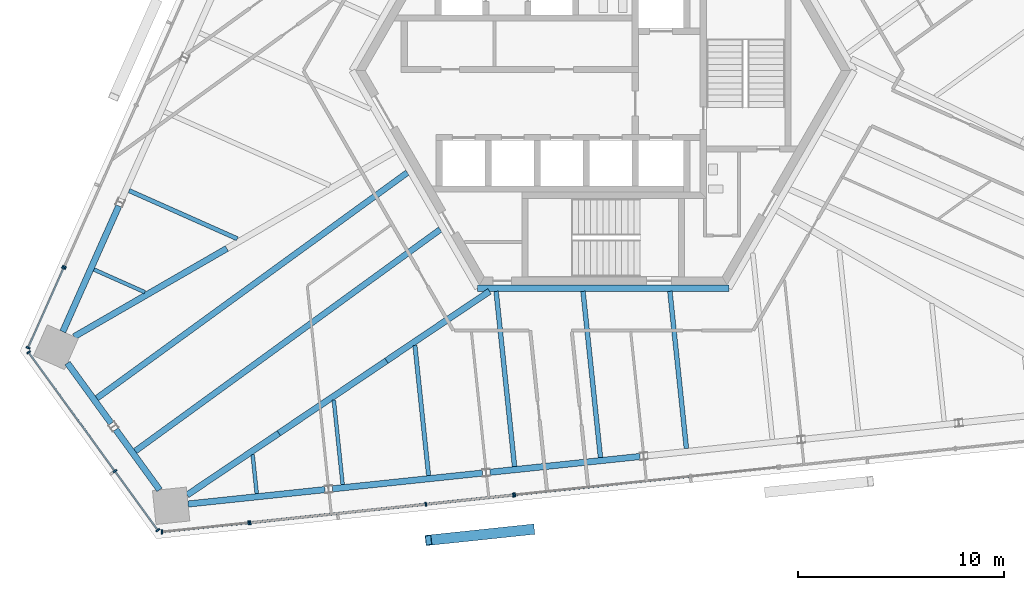
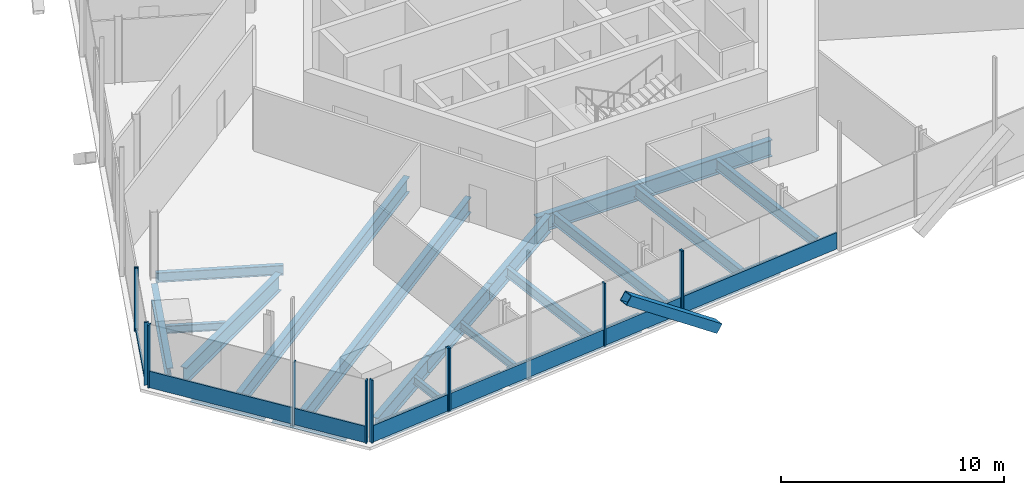
# One storey, part 4 of 21: 21 beams, 20 members, 6 elements without a shape of their own.
"""IFC4 building model written with IfcOpenShell, lengths in metres."""

from ifc_helpers import new_model, si_unit, direction, frame, origin, origin_2d, place, context, subcontext, project, spatial, rectangle, hollow_rectangle, i_section, extrude, source, transform, mapped, material, material_profile, profile_set, type_object, element, aggregate, save


model = new_model("IFC4")

# Units and contexts
model_context = context("Model", 3, precision=1e-05, world=origin(), true_north=direction((0.0, 1.0)))
body_context = subcontext(model_context, "Body", "Model", "MODEL_VIEW")
ifc_project = project(units=[si_unit("LENGTHUNIT", "METRE"), si_unit("AREAUNIT", "SQUARE_METRE"), si_unit("VOLUMEUNIT", "CUBIC_METRE"), si_unit("PLANEANGLEUNIT", "RADIAN"), si_unit("MASSUNIT", "GRAM", prefix="KILO")], contexts=[model_context])

# Site, building, storey
site_placement = place(None, origin())
site = spatial("IfcSite", under=ifc_project, at=site_placement, CompositionType="ELEMENT")
building_placement = place(site_placement, origin())
building = spatial("IfcBuilding", under=site, at=building_placement, Name="Triune Harvest Tower", CompositionType="ELEMENT")
storey_placement = place(building_placement, frame((0.0, 0.0, 241.300048828125)))
storey = spatial("IfcBuildingStorey", under=building, at=storey_placement, Name="L63", CompositionType="ELEMENT", Elevation=241.300048828125)

# Curtain wall, member
ifc_material_1 = material(Name="Aluminium bronze anodised", Category="aluminium")
curtain_wall_type_1 = type_object("IfcCurtainWallType", Name="CW-6 Balcony window wall", PredefinedType="NOTDEFINED", material=ifc_material_1)
curtain_wall_1_placement = place(storey_placement, origin())
curtain_wall_1 = element("IfcCurtainWall", 1, at=curtain_wall_1_placement, inside=storey, type_object=curtain_wall_type_1, Name="CW-6 B6-F3 L63 run 3002")
ifc_material_2 = material(Name="Aluminium bronze anodised", Category="aluminium")
ifc_material_profile_1 = material_profile(ifc_material_2, rectangle(XDim=0.090087890625, YDim=0.14990234375, at=origin_2d()), Name="TR-6 transom 90 x 150")
ifc_profile_set_1 = profile_set([ifc_material_profile_1], Name="Aluminium bronze anodised")
member_type_1 = type_object("IfcMemberType", Name="TR-6 transom 90 x 150", PredefinedType="USERDEFINED", material=ifc_profile_set_1)
member_1_placement = place(storey_placement, frame((-26.1728515625, -9.604736328125, 0.074951171875), z_axis=(-0.406743467062, -0.913542419378, 0.0), x_axis=(0.913542419378, -0.406743467062, 0.0)))
member_1 = element("IfcMember", 2, at=member_1_placement, type_object=member_type_1, Name="CW-6 transom B6-F3 3002.1", ObjectType="TRANSOM", PredefinedType="USERDEFINED", context=body_context, shape_type="SweptSolid", body=[
    extrude(rectangle(XDim=0.090087890625, YDim=0.14990234375, at=origin_2d()), origin(), (0.0, 0.0, 1.0), 4.155517578125),
])

# Beams
ifc_material_3 = material(Name="Steel ASTM A992 Gr 50", Category="steel")
ifc_material_profile_2 = material_profile(ifc_material_3, i_section(OverallWidth=0.3046875, OverallDepth=0.914306640625, WebThickness=0.0166015625, FlangeThickness=0.02587890625, at=origin_2d()), Name="W36x160")
ifc_profile_set_2 = profile_set([ifc_material_profile_2], Name="Steel ASTM A992 Gr 50")
beam_type_1 = type_object("IfcBeamType", Name="CG-1 Core ring girder W36x160", PredefinedType="BEAM", material=ifc_profile_set_2)
shared_shape_1 = source(origin(), body_context, "Body", "SweptSolid", [
    extrude(i_section(OverallWidth=0.3046875, OverallDepth=0.914306640625, WebThickness=0.0166015625, FlangeThickness=0.02587890625, at=origin_2d()), origin(), (0.0, 0.0, 1.0), 12.17578125),
])
beam_1_placement = place(storey_placement, frame((-6.087890625, -10.544677734375, -0.6171875), z_axis=(1.0, 0.0, 0.0), x_axis=(0.0, 1.0, 0.0)))
element("IfcBeam", 3, at=beam_1_placement, inside=storey, type_object=beam_type_1, Name="beam/L63/CG5", PredefinedType="BEAM", context=body_context, shape_type="MappedRepresentation", body=[
    mapped(shared_shape_1, transform((0.0, 0.0, 0.0), scale=1.0)),
])
ifc_material_4 = material(Name="Steel ASTM A992 Gr 50", Category="steel")
ifc_material_profile_3 = material_profile(ifc_material_4, i_section(OverallWidth=0.3046875, OverallDepth=0.914306640625, WebThickness=0.0166015625, FlangeThickness=0.02587890625, at=origin_2d()), Name="W36x160")
ifc_profile_set_3 = profile_set([ifc_material_profile_3], Name="Steel ASTM A992 Gr 50")
beam_type_2 = type_object("IfcBeamType", Name="HG-3 Hip girder W36x160", PredefinedType="BEAM", material=ifc_profile_set_3)
shared_shape_2 = source(origin(), body_context, "Body", "SweptSolid", [
    extrude(i_section(OverallWidth=0.3046875, OverallDepth=0.914306640625, WebThickness=0.0166015625, FlangeThickness=0.02587890625, at=origin_2d()), origin(), (0.0, 0.0, 1.0), 6.293701171875),
])
beam_2_placement = place(storey_placement, frame((-15.72802734375, -17.576904296875, -0.6171875), z_axis=(0.829391075311, 0.558668456416, 0.0), x_axis=(-0.558668456416, 0.829391075311, 0.0)))
element("IfcBeam", 4, at=beam_2_placement, inside=storey, type_object=beam_type_2, Name="beam/L63/HG8", PredefinedType="BEAM", context=body_context, shape_type="MappedRepresentation", body=[
    mapped(shared_shape_2, transform((0.0, 0.0, 0.0), scale=1.0)),
])
shared_shape_3 = source(origin(), body_context, "Body", "SweptSolid", [
    extrude(i_section(OverallWidth=0.3046875, OverallDepth=0.914306640625, WebThickness=0.0166015625, FlangeThickness=0.02587890625, at=origin_2d()), origin(), (0.0, 0.0, 1.0), 6.02099609375),
])
beam_3_placement = place(storey_placement, frame((-10.508056640625, -14.060791015625, -0.6171875), z_axis=(0.829383245618, 0.558680080088, 0.0), x_axis=(-0.558680080088, 0.829383245618, 0.0)))
element("IfcBeam", 5, at=beam_3_placement, inside=storey, type_object=beam_type_2, Name="beam/L63/HG9", PredefinedType="BEAM", context=body_context, shape_type="MappedRepresentation", body=[
    mapped(shared_shape_3, transform((0.0, 0.0, 0.0), scale=1.0)),
])
ifc_material_5 = material(Name="Steel ASTM A992 Gr 50", Category="steel")
ifc_material_profile_4 = material_profile(ifc_material_5, i_section(OverallWidth=0.3046875, OverallDepth=0.914306640625, WebThickness=0.0166015625, FlangeThickness=0.02587890625, at=origin_2d()), Name="W36x160")
ifc_profile_set_4 = profile_set([ifc_material_profile_4], Name="Steel ASTM A992 Gr 50")
beam_type_3 = type_object("IfcBeamType", Name="SB-1 Spandrel beam W36x160", PredefinedType="SPANDREL", material=ifc_profile_set_4)
shared_shape_4 = source(origin(), body_context, "Body", "SweptSolid", [
    extrude(i_section(OverallWidth=0.3046875, OverallDepth=0.914306640625, WebThickness=0.0166015625, FlangeThickness=0.02587890625, at=origin_2d()), origin(), (0.0, 0.0, 1.0), 6.67041015625),
])
beam_4_placement = place(storey_placement, frame((-20.127685546875, -21.007080078125, -0.6171875), z_axis=(0.994521485501, 0.104532362822, 0.0), x_axis=(-0.104532362822, 0.994521485501, 0.0)))
element("IfcBeam", 6, at=beam_4_placement, inside=storey, type_object=beam_type_3, Name="beam/L63/SB17", PredefinedType="SPANDREL", context=body_context, shape_type="MappedRepresentation", body=[
    mapped(shared_shape_4, transform((0.0, 0.0, 0.0), scale=1.0)),
])
shared_shape_5 = source(origin(), body_context, "Body", "SweptSolid", [
    extrude(i_section(OverallWidth=0.3046875, OverallDepth=0.914306640625, WebThickness=0.0166015625, FlangeThickness=0.02587890625, at=origin_2d()), origin(), (0.0, 0.0, 1.0), 7.31103515625),
])
beam_5_placement = place(storey_placement, frame((-13.127685546875, -20.271240234375, -0.6171875), z_axis=(0.994522639393, 0.104521384101, 0.0), x_axis=(-0.104521384101, 0.994522639393, 0.0)))
element("IfcBeam", 7, at=beam_5_placement, inside=storey, type_object=beam_type_3, Name="beam/L63/SB18", PredefinedType="SPANDREL", context=body_context, shape_type="MappedRepresentation", body=[
    mapped(shared_shape_5, transform((0.0, 0.0, 0.0), scale=1.0)),
])
shared_shape_6 = source(origin(), body_context, "Body", "SweptSolid", [
    extrude(i_section(OverallWidth=0.3046875, OverallDepth=0.914306640625, WebThickness=0.0166015625, FlangeThickness=0.02587890625, at=origin_2d()), origin(), (0.0, 0.0, 1.0), 3.614990234375),
])
for number, where, z_axis, x_axis, name in (
    (8, (-25.974365234375, -14.175537109375, -0.6171875), (0.587818273033, -0.808993002373, 0.0), (0.808993002373, 0.587818273033, 0.0), "beam/L63/SB15"),
    (9, (-23.633056640625, -17.39794921875, -0.6171875), (0.587818273033, -0.808993002373, 0.0), (0.808993002373, 0.587818273033, 0.0), "beam/L63/SB16"),
):
    element("IfcBeam", number, at=place(storey_placement, frame(where, z_axis=z_axis, x_axis=x_axis)), inside=storey, type_object=beam_type_3, Name=name, PredefinedType="SPANDREL", context=body_context, shape_type="MappedRepresentation", body=[
        mapped(shared_shape_6, transform((0.0, 0.0, 0.0), scale=1.0)),
    ])
shared_shape_7 = source(origin(), body_context, "Body", "SweptSolid", [
    extrude(i_section(OverallWidth=0.3046875, OverallDepth=0.914306640625, WebThickness=0.0166015625, FlangeThickness=0.02587890625, at=origin_2d()), origin(), (0.0, 0.0, 1.0), 6.670166015625),
])
beam_6_placement = place(storey_placement, frame((-23.485595703125, -6.5576171875, -0.6171875), z_axis=(-0.406722507275, -0.913551751176, 0.0), x_axis=(0.913551751176, -0.406722507275, 0.0)))
element("IfcBeam", 10, at=beam_6_placement, inside=storey, type_object=beam_type_3, Name="beam/L63/SB14", PredefinedType="SPANDREL", context=body_context, shape_type="MappedRepresentation", body=[
    mapped(shared_shape_7, transform((0.0, 0.0, 0.0), scale=1.0)),
])
shared_shape_8 = source(origin(), body_context, "Body", "SweptSolid", [
    extrude(i_section(OverallWidth=0.3046875, OverallDepth=0.914306640625, WebThickness=0.0166015625, FlangeThickness=0.02587890625, at=origin_2d()), origin(), (0.0, 0.0, 1.0), 7.311279296875),
])
beam_7_placement = place(storey_placement, frame((-5.490478515625, -19.468505859375, -0.6171875), z_axis=(0.994519532674, 0.104550940362, 0.0), x_axis=(-0.104550940362, 0.994519532674, 0.0)))
element("IfcBeam", 11, at=beam_7_placement, inside=storey, type_object=beam_type_3, Name="beam/L63/SB19", PredefinedType="SPANDREL", context=body_context, shape_type="MappedRepresentation", body=[
    mapped(shared_shape_8, transform((0.0, 0.0, 0.0), scale=1.0)),
])
shared_shape_9 = source(origin(), body_context, "Body", "SweptSolid", [
    extrude(i_section(OverallWidth=0.3046875, OverallDepth=0.914306640625, WebThickness=0.0166015625, FlangeThickness=0.02587890625, at=origin_2d()), origin(), (0.0, 0.0, 1.0), 8.548583984375),
])
beam_8_placement = place(storey_placement, frame((-25.651123046875, -12.89501953125, -0.6171875), z_axis=(0.866020080793, 0.500009219579, 0.0), x_axis=(-0.500009219579, 0.866020080793, 0.0)))
element("IfcBeam", 12, at=beam_8_placement, inside=storey, type_object=beam_type_2, Name="beam/L63/HG5", PredefinedType="BEAM", context=body_context, shape_type="MappedRepresentation", body=[
    mapped(shared_shape_9, transform((0.0, 0.0, 0.0), scale=1.0)),
])
shared_shape_10 = source(origin(), body_context, "Body", "SweptSolid", [
    extrude(i_section(OverallWidth=0.3046875, OverallDepth=0.914306640625, WebThickness=0.0166015625, FlangeThickness=0.02587890625, at=origin_2d()), origin(), (0.0, 0.0, 1.0), 5.35986328125),
])
beam_9_placement = place(storey_placement, frame((-20.173583984375, -20.5712890625, -0.6171875), z_axis=(0.829399024376, 0.558656655169, 0.0), x_axis=(-0.558656655169, 0.829399024376, 0.0)))
element("IfcBeam", 13, at=beam_9_placement, inside=storey, type_object=beam_type_2, Name="beam/L63/HG7", PredefinedType="BEAM", context=body_context, shape_type="MappedRepresentation", body=[
    mapped(shared_shape_10, transform((0.0, 0.0, 0.0), scale=1.0)),
])
ifc_material_6 = material(Name="Steel ASTM A992 Gr 50", Category="steel")
ifc_material_profile_5 = material_profile(ifc_material_6, i_section(OverallWidth=0.2099609375, OverallDepth=0.535888671875, WebThickness=0.010986328125, FlangeThickness=0.017333984375, at=origin_2d()), Name="W21x68")
ifc_profile_set_5 = profile_set([ifc_material_profile_5], Name="Steel ASTM A992 Gr 50")
beam_type_4 = type_object("IfcBeamType", Name="JT-2 Floor joist W21x68", PredefinedType="JOIST", material=ifc_profile_set_5)
shared_shape_11 = source(origin(), body_context, "Body", "SweptSolid", [
    extrude(i_section(OverallWidth=0.2099609375, OverallDepth=0.535888671875, WebThickness=0.010986328125, FlangeThickness=0.017333984375, at=origin_2d()), origin(), (0.0, 0.0, 1.0), 6.346435546875),
])
beam_10_placement = place(storey_placement, frame((-8.466552734375, -19.628173828125, -0.427978515625), z_axis=(-0.104518578592, 0.99452293424, 0.0), x_axis=(-0.99452293424, -0.104518578592, 0.0)))
element("IfcBeam", 14, at=beam_10_placement, inside=storey, type_object=beam_type_4, Name="beam/L63/JT27", PredefinedType="JOIST", context=body_context, shape_type="MappedRepresentation", body=[
    mapped(shared_shape_11, transform((0.0, 0.0, 0.0), scale=1.0)),
])
ifc_material_7 = material(Name="Steel ASTM A992 Gr 50", Category="steel")
ifc_material_profile_6 = material_profile(ifc_material_7, i_section(OverallWidth=0.22900390625, OverallDepth=0.612060546875, WebThickness=0.011962890625, FlangeThickness=0.01953125, at=origin_2d()), Name="W24x84")
ifc_profile_set_6 = profile_set([ifc_material_profile_6], Name="Steel ASTM A992 Gr 50")
beam_type_5 = type_object("IfcBeamType", Name="JT-3 Floor joist W24x84", PredefinedType="JOIST", material=ifc_profile_set_6)
shared_shape_12 = source(origin(), body_context, "Body", "SweptSolid", [
    extrude(i_section(OverallWidth=0.22900390625, OverallDepth=0.612060546875, WebThickness=0.011962890625, FlangeThickness=0.01953125, at=origin_2d()), origin(), (0.0, 0.0, 1.0), 8.099609375),
])
beam_11_placement = place(storey_placement, frame((-0.135009765625, -18.752197265625, -0.466064453125), z_axis=(-0.104534153452, 0.994521297289, 0.0), x_axis=(-0.994521297289, -0.104534153452, 0.0)))
element("IfcBeam", 15, at=beam_11_placement, inside=storey, type_object=beam_type_5, Name="beam/L63/JT29", PredefinedType="JOIST", context=body_context, shape_type="MappedRepresentation", body=[
    mapped(shared_shape_12, transform((0.0, 0.0, 0.0), scale=1.0)),
])
shared_shape_13 = source(origin(), body_context, "Body", "SweptSolid", [
    extrude(i_section(OverallWidth=0.22900390625, OverallDepth=0.612060546875, WebThickness=0.011962890625, FlangeThickness=0.01953125, at=origin_2d()), origin(), (0.0, 0.0, 1.0), 7.659423828125),
])
beam_12_placement = place(storey_placement, frame((4.031005859375, -18.314453125, -0.466064453125), z_axis=(-0.104548726976, 0.994519765358, 0.0), x_axis=(-0.994519765358, -0.104548726976, 0.0)))
element("IfcBeam", 16, at=beam_12_placement, inside=storey, type_object=beam_type_5, Name="beam/L63/JT30", PredefinedType="JOIST", context=body_context, shape_type="MappedRepresentation", body=[
    mapped(shared_shape_13, transform((0.0, 0.0, 0.0), scale=1.0)),
])
shared_shape_14 = source(origin(), body_context, "Body", "SweptSolid", [
    extrude(i_section(OverallWidth=0.2099609375, OverallDepth=0.535888671875, WebThickness=0.010986328125, FlangeThickness=0.017333984375, at=origin_2d()), origin(), (0.0, 0.0, 1.0), 5.745849609375),
])
beam_13_placement = place(storey_placement, frame((-22.987548828125, -5.8134765625, -0.427978515625), z_axis=(0.913552037091, -0.406721865071, 0.0), x_axis=(0.406721865071, 0.913552037091, 0.0)))
element("IfcBeam", 17, at=beam_13_placement, inside=storey, type_object=beam_type_4, Name="beam/L63/JT21", PredefinedType="JOIST", context=body_context, shape_type="MappedRepresentation", body=[
    mapped(shared_shape_14, transform((0.0, 0.0, 0.0), scale=1.0)),
])
ifc_material_8 = material(Name="Steel ASTM A992 Gr 50", Category="steel")
ifc_material_profile_7 = material_profile(ifc_material_8, i_section(OverallWidth=0.2919921875, OverallDepth=0.8408203125, WebThickness=0.0146484375, FlangeThickness=0.021728515625, at=origin_2d()), Name="W33x130")
ifc_profile_set_7 = profile_set([ifc_material_profile_7], Name="Steel ASTM A992 Gr 50")
beam_type_6 = type_object("IfcBeamType", Name="JT-6 Floor joist W33x130", PredefinedType="JOIST", material=ifc_profile_set_7)
shared_shape_15 = source(origin(), body_context, "Body", "SweptSolid", [
    extrude(i_section(OverallWidth=0.2919921875, OverallDepth=0.8408203125, WebThickness=0.0146484375, FlangeThickness=0.021728515625, at=origin_2d()), origin(), (0.0, 0.0, 1.0), 18.27099609375),
])
beam_14_placement = place(storey_placement, frame((-22.68701171875, -18.44091796875, -0.58056640625), z_axis=(0.809013927609, 0.587789473311, 0.0), x_axis=(-0.587789473311, 0.809013927609, 0.0)))
element("IfcBeam", 18, at=beam_14_placement, inside=storey, type_object=beam_type_6, Name="beam/L63/JT24", PredefinedType="JOIST", context=body_context, shape_type="MappedRepresentation", body=[
    mapped(shared_shape_15, transform((0.0, 0.0, 0.0), scale=1.0)),
])
ifc_material_9 = material(Name="Steel ASTM A992 Gr 50", Category="steel")
ifc_material_profile_8 = material_profile(ifc_material_9, i_section(OverallWidth=0.180908203125, OverallDepth=0.41650390625, WebThickness=0.010986328125, FlangeThickness=0.01806640625, at=origin_2d()), Name="W16x57")
ifc_profile_set_8 = profile_set([ifc_material_profile_8], Name="Steel ASTM A992 Gr 50")
beam_type_7 = type_object("IfcBeamType", Name="JT-1 Floor joist W16x57", PredefinedType="JOIST", material=ifc_profile_set_8)
shared_shape_16 = source(origin(), body_context, "Body", "SweptSolid", [
    extrude(i_section(OverallWidth=0.180908203125, OverallDepth=0.41650390625, WebThickness=0.010986328125, FlangeThickness=0.01806640625, at=origin_2d()), origin(), (0.0, 0.0, 1.0), 1.899169921875),
])
beam_15_placement = place(storey_placement, frame((-16.79833984375, -20.50390625, -0.368408203125), z_axis=(-0.104517481806, 0.994523049505, 0.0), x_axis=(-0.994523049505, -0.104517481806, 0.0)))
element("IfcBeam", 19, at=beam_15_placement, inside=storey, type_object=beam_type_7, Name="beam/L63/JT25", PredefinedType="JOIST", context=body_context, shape_type="MappedRepresentation", body=[
    mapped(shared_shape_16, transform((0.0, 0.0, 0.0), scale=1.0)),
])
shared_shape_17 = source(origin(), body_context, "Body", "SweptSolid", [
    extrude(i_section(OverallWidth=0.180908203125, OverallDepth=0.41650390625, WebThickness=0.010986328125, FlangeThickness=0.01806640625, at=origin_2d()), origin(), (0.0, 0.0, 1.0), 4.12255859375),
])
beam_16_placement = place(storey_placement, frame((-12.632568359375, -20.06591796875, -0.368408203125), z_axis=(-0.104521403768, 0.994522637326, 0.0), x_axis=(-0.994522637326, -0.104521403768, 0.0)))
element("IfcBeam", 20, at=beam_16_placement, inside=storey, type_object=beam_type_7, Name="beam/L63/JT26", PredefinedType="JOIST", context=body_context, shape_type="MappedRepresentation", body=[
    mapped(shared_shape_17, transform((0.0, 0.0, 0.0), scale=1.0)),
])
shared_shape_18 = source(origin(), body_context, "Body", "SweptSolid", [
    extrude(i_section(OverallWidth=0.180908203125, OverallDepth=0.41650390625, WebThickness=0.010986328125, FlangeThickness=0.01806640625, at=origin_2d()), origin(), (0.0, 0.0, 1.0), 2.702392578125),
])
beam_17_placement = place(storey_placement, frame((-24.691162109375, -9.64013671875, -0.368408203125), z_axis=(0.913550575703, -0.406725147529, 0.0), x_axis=(0.406725147529, 0.913550575703, 0.0)))
element("IfcBeam", 21, at=beam_17_placement, inside=storey, type_object=beam_type_7, Name="beam/L63/JT22", PredefinedType="JOIST", context=body_context, shape_type="MappedRepresentation", body=[
    mapped(shared_shape_18, transform((0.0, 0.0, 0.0), scale=1.0)),
])
shared_shape_19 = source(origin(), body_context, "Body", "SweptSolid", [
    extrude(i_section(OverallWidth=0.2919921875, OverallDepth=0.8408203125, WebThickness=0.0146484375, FlangeThickness=0.021728515625, at=origin_2d()), origin(), (0.0, 0.0, 1.0), 18.603515625),
])
beam_18_placement = place(storey_placement, frame((-24.548828125, -15.8779296875, -0.58056640625), z_axis=(0.809011797406, 0.58779240524, 0.0), x_axis=(-0.58779240524, 0.809011797406, 0.0)))
element("IfcBeam", 22, at=beam_18_placement, inside=storey, type_object=beam_type_6, Name="beam/L63/JT23", PredefinedType="JOIST", context=body_context, shape_type="MappedRepresentation", body=[
    mapped(shared_shape_19, transform((0.0, 0.0, 0.0), scale=1.0)),
])
shared_shape_20 = source(origin(), body_context, "Body", "SweptSolid", [
    extrude(i_section(OverallWidth=0.22900390625, OverallDepth=0.612060546875, WebThickness=0.011962890625, FlangeThickness=0.01953125, at=origin_2d()), origin(), (0.0, 0.0, 1.0), 8.5400390625),
])
beam_19_placement = place(storey_placement, frame((-4.30078125, -19.190185546875, -0.466064453125), z_axis=(-0.104546386162, 0.994520011433, 0.0), x_axis=(-0.994520011433, -0.104546386162, 0.0)))
element("IfcBeam", 23, at=beam_19_placement, inside=storey, type_object=beam_type_5, Name="beam/L63/JT28", PredefinedType="JOIST", context=body_context, shape_type="MappedRepresentation", body=[
    mapped(shared_shape_20, transform((0.0, 0.0, 0.0), scale=1.0)),
])

# Member
ifc_material_10 = material(Name="Steel ASTM A572 Gr 50", Category="steel")
ifc_material_profile_9 = material_profile(ifc_material_10, hollow_rectangle(XDim=0.5, YDim=0.5, WallThickness=0.030029296875, at=origin_2d()), Name="Box 500x500x30")
ifc_profile_set_9 = profile_set([ifc_material_profile_9], Name="Steel ASTM A572 Gr 50")
member_type_2 = type_object("IfcMemberType", Name="BR-3 Brace Box 500x500x30", PredefinedType="BRACE", material=ifc_profile_set_9)
shared_shape_21 = source(origin(), body_context, "Body", "SweptSolid", [
    extrude(hollow_rectangle(XDim=0.5, YDim=0.5, WallThickness=0.030029296875, at=origin_2d()), origin(), (0.0, 0.0, 1.0), 6.170654296875),
])
member_2_placement = place(storey_placement, frame((-3.488525390625, -22.239990234375, 0.0), z_axis=(-0.807749784762, -0.084905517148, 0.583379240611), x_axis=(0.104537710696, -0.994520923381, 0.0)))
element("IfcMember", 24, at=member_2_placement, inside=storey, type_object=member_type_2, Name="brace/B6-F5/d2/7", PredefinedType="BRACE", context=body_context, shape_type="MappedRepresentation", body=[
    mapped(shared_shape_21, transform((0.0, 0.0, 0.0), scale=1.0)),
])

# Curtain wall, members
ifc_material_11 = material(Name="Aluminium bronze anodised", Category="aluminium")
curtain_wall_type_2 = type_object("IfcCurtainWallType", Name="CW-1 Tower stick curtain wall", PredefinedType="NOTDEFINED", material=ifc_material_11)
curtain_wall_2_placement = place(storey_placement, origin())
curtain_wall_2 = element("IfcCurtainWall", 25, at=curtain_wall_2_placement, inside=storey, type_object=curtain_wall_type_2, Name="CW-1 B6-F4 L63 run 1")
ifc_material_12 = material(Name="Aluminium bronze anodised", Category="aluminium")
ifc_material_profile_10 = material_profile(ifc_material_12, rectangle(XDim=0.199951171875, YDim=0.074951171875, at=origin_2d()), Name="MU-1 mullion 75 x 200")
ifc_profile_set_10 = profile_set([ifc_material_profile_10], Name="Aluminium bronze anodised")
member_type_3 = type_object("IfcMemberType", Name="MU-1 mullion 75 x 200", PredefinedType="MULLION", material=ifc_profile_set_10)
shared_shape_22 = source(origin(), body_context, "Body", "SweptSolid", [
    extrude(rectangle(XDim=0.199951171875, YDim=0.074951171875, at=origin_2d()), origin(), (0.0, 0.0, 1.0), 3.43994140625),
])
member_3_placement = place(storey_placement, frame((-27.855224609375, -13.654541015625, 0.0), z_axis=(0.0, 0.0, 1.0), x_axis=(0.809014317982, 0.587788936013, 0.0)))
member_3 = element("IfcMember", 26, at=member_3_placement, type_object=member_type_3, Name="CW-1 mullion B6-F4 1.1", PredefinedType="MULLION", context=body_context, shape_type="MappedRepresentation", body=[
    mapped(shared_shape_22, transform((0.0, 0.0, 0.0), scale=1.0)),
])
member_4_placement = place(storey_placement, frame((-23.673828125, -19.409912109375, 0.0), z_axis=(0.0, 0.0, 1.0), x_axis=(0.809014317982, 0.587788936013, 0.0)))
member_4 = element("IfcMember", 27, at=member_4_placement, type_object=member_type_3, Name="CW-1 mullion B6-F4 1.3", PredefinedType="MULLION", context=body_context, shape_type="MappedRepresentation", body=[
    mapped(shared_shape_22, transform((0.0, 0.0, 0.0), scale=1.0)),
])
member_5_placement = place(storey_placement, frame((-21.593994140625, -22.272216796875, 0.0), z_axis=(0.0, 0.0, 1.0), x_axis=(0.809014317982, 0.587788936013, 0.0)))
member_5 = element("IfcMember", 28, at=member_5_placement, type_object=member_type_3, Name="CW-1 mullion B6-F4 1.4", PredefinedType="MULLION", context=body_context, shape_type="MappedRepresentation", body=[
    mapped(shared_shape_22, transform((0.0, 0.0, 0.0), scale=1.0)),
])

curtain_wall_3_placement = place(storey_placement, origin())
curtain_wall_3 = element("IfcCurtainWall", 29, at=curtain_wall_3_placement, inside=storey, type_object=curtain_wall_type_2, Name="CW-1 B6-F5 L63 run 1")
member_6_placement = place(storey_placement, frame((-21.392333984375, -22.362060546875, 0.0), z_axis=(0.0, 0.0, 1.0), x_axis=(-0.104531863081, 0.994521538028, 0.0)))
member_6 = element("IfcMember", 30, at=member_6_placement, type_object=member_type_3, Name="CW-1 mullion B6-F5 1.1", PredefinedType="MULLION", context=body_context, shape_type="MappedRepresentation", body=[
    mapped(shared_shape_22, transform((0.0, 0.0, 0.0), scale=1.0)),
])
member_7_placement = place(storey_placement, frame((-17.1904296875, -21.92041015625, 0.0), z_axis=(0.0, 0.0, 1.0), x_axis=(-0.104531863081, 0.994521538028, 0.0)))
member_7 = element("IfcMember", 31, at=member_7_placement, type_object=member_type_3, Name="CW-1 mullion B6-F5 1.2", PredefinedType="MULLION", context=body_context, shape_type="MappedRepresentation", body=[
    mapped(shared_shape_22, transform((0.0, 0.0, 0.0), scale=1.0)),
])

ifc_material_13 = material(Name="Aluminium bronze anodised", Category="aluminium")
curtain_wall_type_3 = type_object("IfcCurtainWallType", Name="CW-7 Tower stick curtain wall with insulated spandrel infill", PredefinedType="NOTDEFINED", material=ifc_material_13)
curtain_wall_4_placement = place(storey_placement, origin())
curtain_wall_4 = element("IfcCurtainWall", 32, at=curtain_wall_4_placement, inside=storey, type_object=curtain_wall_type_3, Name="CW-7 B6-F5 L63 run 1001")
member_8_placement = place(storey_placement, frame((-17.11572265625, -21.91259765625, 0.0), z_axis=(0.0, 0.0, 1.0), x_axis=(-0.104526601986, 0.994522090995, 0.0)))
member_8 = element("IfcMember", 33, at=member_8_placement, type_object=member_type_3, Name="CW-7 mullion B6-F5 1001.1", PredefinedType="MULLION", context=body_context, shape_type="MappedRepresentation", body=[
    mapped(shared_shape_22, transform((0.0, 0.0, 0.0), scale=1.0)),
])
member_9_placement = place(storey_placement, frame((-8.60009765625, -21.017578125, 0.0), z_axis=(0.0, 0.0, 1.0), x_axis=(-0.104526601986, 0.994522090995, 0.0)))
member_9 = element("IfcMember", 34, at=member_9_placement, type_object=member_type_3, Name="CW-7 mullion B6-F5 1001.3", PredefinedType="MULLION", context=body_context, shape_type="MappedRepresentation", body=[
    mapped(shared_shape_22, transform((0.0, 0.0, 0.0), scale=1.0)),
])
member_10_placement = place(storey_placement, frame((-4.361083984375, -20.572021484375, 0.0), z_axis=(0.0, 0.0, 1.0), x_axis=(-0.104526601986, 0.994522090995, 0.0)))
member_10 = element("IfcMember", 35, at=member_10_placement, type_object=member_type_3, Name="CW-7 mullion B6-F5 1001.4", PredefinedType="MULLION", context=body_context, shape_type="MappedRepresentation", body=[
    mapped(shared_shape_22, transform((0.0, 0.0, 0.0), scale=1.0)),
])

# Curtain wall, member
curtain_wall_5_placement = place(storey_placement, origin())
curtain_wall_5 = element("IfcCurtainWall", 36, at=curtain_wall_5_placement, inside=storey, type_object=curtain_wall_type_2, Name="CW-1 B6-F5 L63 run 2001")
member_11_placement = place(storey_placement, frame((-4.286376953125, -20.564208984375, 0.0), z_axis=(0.0, 0.0, 1.0), x_axis=(-0.104535075084, 0.994521200416, 0.0)))
member_11 = element("IfcMember", 37, at=member_11_placement, type_object=member_type_3, Name="CW-1 mullion B6-F5 2001.1", PredefinedType="MULLION", context=body_context, shape_type="MappedRepresentation", body=[
    mapped(shared_shape_22, transform((0.0, 0.0, 0.0), scale=1.0)),
])

ifc_material_14 = material(Name="Aluminium bronze anodised", Category="aluminium")
curtain_wall_type_4 = type_object("IfcCurtainWallType", Name="CW-10 Balcony window wall with insulated spandrel infill", PredefinedType="NOTDEFINED", material=ifc_material_14)
curtain_wall_6_placement = place(storey_placement, origin())
curtain_wall_6 = element("IfcCurtainWall", 38, at=curtain_wall_6_placement, inside=storey, type_object=curtain_wall_type_4, Name="CW-10 B6-F3 L63 run 2002")
ifc_material_15 = material(Name="Aluminium bronze anodised", Category="aluminium")
ifc_material_profile_11 = material_profile(ifc_material_15, rectangle(XDim=0.199951171875, YDim=0.074951171875, at=origin_2d()), Name="MU-6 mullion 75 x 200")
ifc_profile_set_11 = profile_set([ifc_material_profile_11], Name="Aluminium bronze anodised")
member_type_4 = type_object("IfcMemberType", Name="MU-6 mullion 75 x 200", PredefinedType="MULLION", material=ifc_profile_set_11)
shared_shape_23 = source(origin(), body_context, "Body", "SweptSolid", [
    extrude(rectangle(XDim=0.199951171875, YDim=0.074951171875, at=origin_2d()), origin(), (0.0, 0.0, 1.0), 3.43994140625),
])
member_12_placement = place(storey_placement, frame((-26.127197265625, -9.501953125, 0.0), z_axis=(0.0, 0.0, 1.0), x_axis=(0.913545546294, -0.406736443962, 0.0)))
member_12 = element("IfcMember", 39, at=member_12_placement, type_object=member_type_4, Name="CW-10 mullion B6-F3 2002.5", PredefinedType="MULLION", context=body_context, shape_type="MappedRepresentation", body=[
    mapped(shared_shape_23, transform((0.0, 0.0, 0.0), scale=1.0)),
])
aggregate(curtain_wall_6, [member_12])

# Member
member_13_placement = place(storey_placement, frame((-26.15771484375, -9.570556640625, 0.0), z_axis=(0.0, 0.0, 1.0), x_axis=(0.913543934654, -0.406740063748, 0.0)))
member_13 = element("IfcMember", 40, at=member_13_placement, type_object=member_type_4, Name="CW-6 mullion B6-F3 3002.1", PredefinedType="MULLION", context=body_context, shape_type="MappedRepresentation", body=[
    mapped(shared_shape_23, transform((0.0, 0.0, 0.0), scale=1.0)),
])

member_14_placement = place(storey_placement, frame((-27.878173828125, -13.43505859375, 0.0), z_axis=(0.0, 0.0, 1.0), x_axis=(0.913543934654, -0.406740063748, 0.0)))
member_14 = element("IfcMember", 41, at=member_14_placement, type_object=member_type_4, Name="CW-6 mullion B6-F3 3002.2", PredefinedType="MULLION", context=body_context, shape_type="MappedRepresentation", body=[
    mapped(shared_shape_23, transform((0.0, 0.0, 0.0), scale=1.0)),
])

aggregate(curtain_wall_1, [member_13, member_14, member_1])

ifc_material_16 = material(Name="Aluminium bronze anodised", Category="aluminium")
ifc_material_profile_12 = material_profile(ifc_material_16, rectangle(XDim=0.090087890625, YDim=0.89990234375, at=origin_2d()), Name="TR-1 transom 90 x 900")
ifc_profile_set_12 = profile_set([ifc_material_profile_12], Name="Aluminium bronze anodised")
member_type_5 = type_object("IfcMemberType", Name="TR-1 transom 90 x 900", PredefinedType="USERDEFINED", material=ifc_profile_set_12)
shared_shape_24 = source(origin(), body_context, "Body", "SweptSolid", [
    extrude(rectangle(XDim=0.090087890625, YDim=0.89990234375, at=origin_2d()), origin(), (0.0, 0.0, 1.0), 7.03857421875),
])
member_15_placement = place(storey_placement, frame((-27.8330078125, -13.68505859375, 0.449951171875), z_axis=(0.587788023707, -0.809014980817, 0.0), x_axis=(0.809014980817, 0.587788023707, 0.0)))
member_15 = element("IfcMember", 42, at=member_15_placement, type_object=member_type_5, Name="CW-1 transom B6-F4 1.1", ObjectType="TRANSOM", PredefinedType="USERDEFINED", context=body_context, shape_type="MappedRepresentation", body=[
    mapped(shared_shape_24, transform((0.0, 0.0, 0.0), scale=1.0)),
])

shared_shape_25 = source(origin(), body_context, "Body", "SweptSolid", [
    extrude(rectangle(XDim=0.090087890625, YDim=0.89990234375, at=origin_2d()), origin(), (0.0, 0.0, 1.0), 3.463134765625),
])
member_16_placement = place(storey_placement, frame((-23.651611328125, -19.440185546875, 0.449951171875), z_axis=(0.58779438563, -0.809010358538, 0.0), x_axis=(0.809010358538, 0.58779438563, 0.0)))
member_16 = element("IfcMember", 43, at=member_16_placement, type_object=member_type_5, Name="CW-1 transom B6-F4 1.2", ObjectType="TRANSOM", PredefinedType="USERDEFINED", context=body_context, shape_type="MappedRepresentation", body=[
    mapped(shared_shape_25, transform((0.0, 0.0, 0.0), scale=1.0)),
])

aggregate(curtain_wall_2, [member_3, member_4, member_5, member_15, member_16])

shared_shape_26 = source(origin(), body_context, "Body", "SweptSolid", [
    extrude(rectangle(XDim=0.090087890625, YDim=0.89990234375, at=origin_2d()), origin(), (0.0, 0.0, 1.0), 8.487548828125),
])
member_17_placement = place(storey_placement, frame((-17.07861328125, -21.90869140625, 0.449951171875), z_axis=(0.994521832377, 0.104529062585, 0.0), x_axis=(-0.104529062585, 0.994521832377, 0.0)))
member_17 = element("IfcMember", 44, at=member_17_placement, type_object=member_type_5, Name="CW-7 transom B6-F5 1001.1", ObjectType="TRANSOM", PredefinedType="USERDEFINED", context=body_context, shape_type="MappedRepresentation", body=[
    mapped(shared_shape_26, transform((0.0, 0.0, 0.0), scale=1.0)),
])

shared_shape_27 = source(origin(), body_context, "Body", "SweptSolid", [
    extrude(rectangle(XDim=0.090087890625, YDim=0.89990234375, at=origin_2d()), origin(), (0.0, 0.0, 1.0), 8.4873046875),
])
member_18_placement = place(storey_placement, frame((-4.2490234375, -20.560302734375, 0.449951171875), z_axis=(0.994521518077, 0.104532052892, 0.0), x_axis=(-0.104532052892, 0.994521518077, 0.0)))
member_18 = element("IfcMember", 45, at=member_18_placement, type_object=member_type_5, Name="CW-1 transom B6-F5 2001.1", ObjectType="TRANSOM", PredefinedType="USERDEFINED", context=body_context, shape_type="MappedRepresentation", body=[
    mapped(shared_shape_27, transform((0.0, 0.0, 0.0), scale=1.0)),
])

aggregate(curtain_wall_5, [member_11, member_18])

shared_shape_28 = source(origin(), body_context, "Body", "SweptSolid", [
    extrude(rectangle(XDim=0.090087890625, YDim=0.89990234375, at=origin_2d()), origin(), (0.0, 0.0, 1.0), 4.187744140625),
])
member_19_placement = place(storey_placement, frame((-8.56298828125, -21.013671875, 0.449951171875), z_axis=(0.994521732639, 0.104530011526, 0.0), x_axis=(-0.104530011526, 0.994521732639, 0.0)))
member_19 = element("IfcMember", 46, at=member_19_placement, type_object=member_type_5, Name="CW-7 transom B6-F5 1001.2", ObjectType="TRANSOM", PredefinedType="USERDEFINED", context=body_context, shape_type="MappedRepresentation", body=[
    mapped(shared_shape_28, transform((0.0, 0.0, 0.0), scale=1.0)),
])

aggregate(curtain_wall_4, [member_8, member_9, member_10, member_17, member_19])

shared_shape_29 = source(origin(), body_context, "Body", "SweptSolid", [
    extrude(rectangle(XDim=0.090087890625, YDim=0.89990234375, at=origin_2d()), origin(), (0.0, 0.0, 1.0), 4.14990234375),
])
member_20_placement = place(storey_placement, frame((-21.35498046875, -22.358154296875, 0.449951171875), z_axis=(0.994520593237, 0.104540851475, 0.0), x_axis=(-0.104540851475, 0.994520593237, 0.0)))
member_20 = element("IfcMember", 47, at=member_20_placement, type_object=member_type_5, Name="CW-1 transom B6-F5 1.1", ObjectType="TRANSOM", PredefinedType="USERDEFINED", context=body_context, shape_type="MappedRepresentation", body=[
    mapped(shared_shape_29, transform((0.0, 0.0, 0.0), scale=1.0)),
])

aggregate(curtain_wall_3, [member_6, member_7, member_20])

save(model, "model.ifc")
